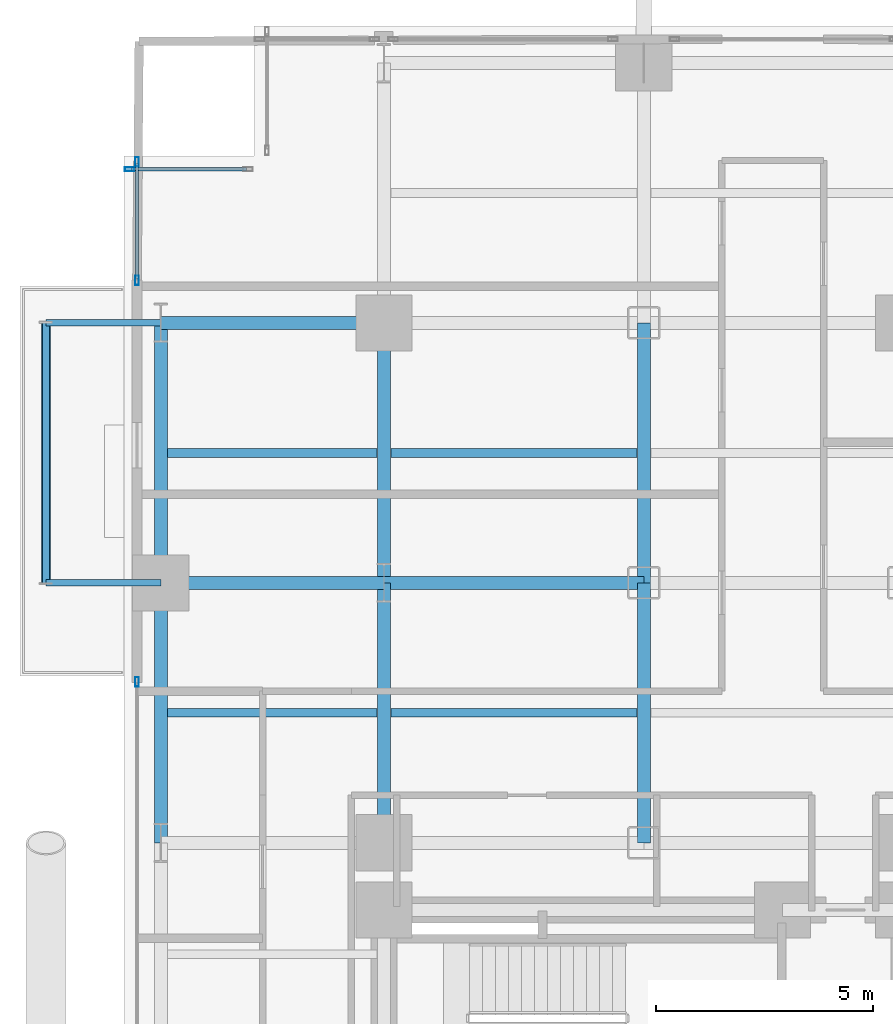
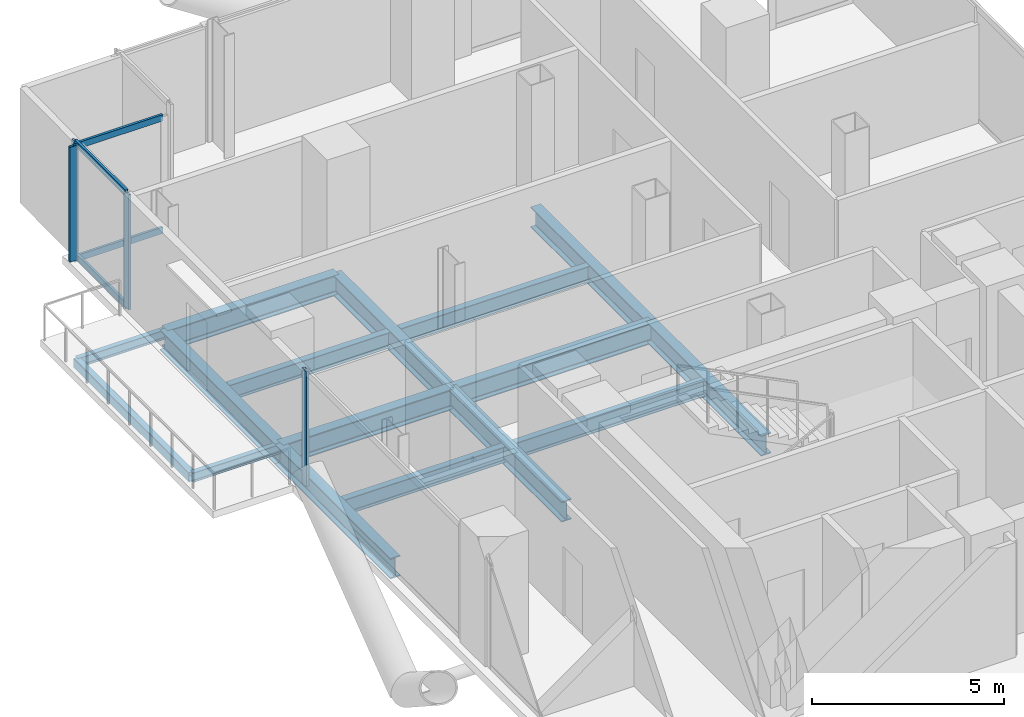
# One storey, part 13 of 27: 16 beams, 8 members, 3 elements without a shape of their own.
"""IFC4 building model written with IfcOpenShell, lengths in metres."""

from ifc_helpers import new_model, si_unit, direction, frame, origin, origin_2d, place, context, subcontext, project, spatial, hollow_rectangle, i_section, extrude, material, layer, layer_set, material_profile, profile_set, type_object, element, aggregate, save


model = new_model("IFC4")

# Units and contexts
model_context = context("Model", 3, precision=1e-05, world=origin(), true_north=direction((0.0, 1.0)))
body_context = subcontext(model_context, "Body", "Model", "MODEL_VIEW")
ifc_project = project(units=[si_unit("LENGTHUNIT", "METRE"), si_unit("AREAUNIT", "SQUARE_METRE"), si_unit("VOLUMEUNIT", "CUBIC_METRE"), si_unit("PLANEANGLEUNIT", "RADIAN"), si_unit("MASSUNIT", "GRAM", prefix="KILO"), si_unit("THERMODYNAMICTEMPERATUREUNIT", "KELVIN"), si_unit("POWERUNIT", "WATT")], contexts=[model_context])

# Site, building, storey
site_placement = place(None, origin())
site = spatial("IfcSite", under=ifc_project, at=site_placement, CompositionType="ELEMENT")
building_placement = place(site_placement, origin())
building = spatial("IfcBuilding", under=site, at=building_placement, Name="Svarakhadi Broadcast Tower", CompositionType="ELEMENT")
storey_placement = place(building_placement, frame((0.0, 0.0, 75.300048828125)))
storey = spatial("IfcBuildingStorey", under=building, at=storey_placement, Name="L17", CompositionType="ELEMENT", Elevation=75.300048828125)

# Beams
ifc_material_1 = material(Name="Steel S355J2 (IS 2062 E350C)", Category="steel")
ifc_material_profile_1 = material_profile(ifc_material_1, i_section(OverallWidth=0.199951171875, OverallDepth=0.5, WebThickness=0.01025390625, FlangeThickness=0.01611328125, FilletRadius=0.02099609375, at=origin_2d()), Name="NPB 500x200x91")
ifc_profile_set_1 = profile_set([ifc_material_profile_1], Name="Steel S355J2 (IS 2062 E350C)")
beam_type_1 = type_object("IfcBeamType", Name="Beam_NPB500", PredefinedType="BEAM", material=ifc_profile_set_1)
for number, where, z_axis, x_axis, name in (
    (1, (1.010009765625, 32.14990234375, -0.5), (1.0, 0.0, 0.0), (0.0, 1.0, 0.0), "L17 Secondary Composite Beam SB005"),
    (2, (1.010009765625, 38.14990234375, -0.5), (1.0, 0.0, 0.0), (0.0, 1.0, 0.0), "L17 Secondary Composite Beam SB006"),
):
    element("IfcBeam", number, at=place(storey_placement, frame(where, z_axis=z_axis, x_axis=x_axis)), inside=storey, type_object=beam_type_1, Name=name, PredefinedType="BEAM", context=body_context, shape_type="SweptSolid", body=[
        extrude(i_section(OverallWidth=0.199951171875, OverallDepth=0.5, WebThickness=0.01025390625, FlangeThickness=0.01611328125, FilletRadius=0.02099609375, at=origin_2d()), origin(), (0.0, 0.0, 1.0), 4.830078125),
    ])
for number, where, z_axis, x_axis, name in (
    (3, (6.159912109375, 32.14990234375, -0.5), (1.0, 0.0, 0.0), (0.0, 1.0, 0.0), "L17 Secondary Composite Beam SB010"),
    (4, (6.159912109375, 38.14990234375, -0.5), (1.0, 0.0, 0.0), (0.0, 1.0, 0.0), "L17 Secondary Composite Beam SB011"),
):
    element("IfcBeam", number, at=place(storey_placement, frame(where, z_axis=z_axis, x_axis=x_axis)), inside=storey, type_object=beam_type_1, Name=name, PredefinedType="BEAM", context=body_context, shape_type="SweptSolid", body=[
        extrude(i_section(OverallWidth=0.199951171875, OverallDepth=0.5, WebThickness=0.01025390625, FlangeThickness=0.01611328125, FilletRadius=0.02099609375, at=origin_2d()), origin(), (0.0, 0.0, 1.0), 5.68017578125),
    ])

# Curtain wall, member
ifc_material_2 = material(Name="Anodised Bronze Aluminium AA 6063-T6", Category="aluminium")
ifc_layer = layer(ifc_material_2, 0.219970703125)
ifc_layer_set = layer_set([ifc_layer], Name="Anodised Bronze Aluminium AA 6063-T6")
curtain_wall_type = type_object("IfcCurtainWallType", Name="CW_Sys_02", PredefinedType="NOTDEFINED", material=ifc_layer_set)
curtain_wall_1_placement = place(storey_placement, origin())
curtain_wall_1 = element("IfcCurtainWall", 5, at=curtain_wall_1_placement, inside=storey, type_object=curtain_wall_type, Name="L17 West Curtain Wall 02 Bay 3", PredefinedType="NOTDEFINED")
ifc_material_profile_2 = material_profile(ifc_material_2, hollow_rectangle(XDim=0.0849609375, YDim=0.219970703125, WallThickness=0.006103515625, at=origin_2d()), Name="ALU MULLION 220x85x6")
ifc_profile_set_2 = profile_set([ifc_material_profile_2], Name="Anodised Bronze Aluminium AA 6063-T6")
member_type_1 = type_object("IfcMemberType", Name="CW_Sys_02_Mul", PredefinedType="MULLION", material=ifc_profile_set_2)
member_1_placement = place(storey_placement, frame((0.300048828125, 32.867431640625, 0.0), z_axis=(0.0, 0.0, 1.0), x_axis=(-1.0, 0.0, 0.0)))
member_1 = element("IfcMember", 6, at=member_1_placement, type_object=member_type_1, Name="CW-02 mullion 2", PredefinedType="MULLION", context=body_context, shape_type="SweptSolid", body=[
    extrude(hollow_rectangle(XDim=0.0849609375, YDim=0.219970703125, WallThickness=0.006103515625, at=origin_2d()), origin(), (0.0, 0.0, 1.0), 3.64990234375),
])
aggregate(curtain_wall_1, [member_1])

# Curtain wall, members
curtain_wall_2_placement = place(storey_placement, origin())
curtain_wall_2 = element("IfcCurtainWall", 7, at=curtain_wall_2_placement, inside=storey, type_object=curtain_wall_type, Name="L17 West Curtain Wall 03", PredefinedType="NOTDEFINED")
member_2_placement = place(storey_placement, frame((0.300048828125, 42.132568359375, 0.0), z_axis=(0.0, 0.0, 1.0), x_axis=(-1.0, 0.0, 0.0)))
member_2 = element("IfcMember", 8, at=member_2_placement, type_object=member_type_1, Name="CW-02 mullion 1", PredefinedType="MULLION", context=body_context, shape_type="SweptSolid", body=[
    extrude(hollow_rectangle(XDim=0.0849609375, YDim=0.219970703125, WallThickness=0.006103515625, at=origin_2d()), origin(), (0.0, 0.0, 1.0), 3.64990234375),
])
member_3_placement = place(storey_placement, frame((0.300048828125, 44.867431640625, 0.0), z_axis=(0.0, 0.0, 1.0), x_axis=(-1.0, 0.0, 0.0)))
member_3 = element("IfcMember", 9, at=member_3_placement, type_object=member_type_1, Name="CW-02 mullion 2", PredefinedType="MULLION", context=body_context, shape_type="SweptSolid", body=[
    extrude(hollow_rectangle(XDim=0.0849609375, YDim=0.219970703125, WallThickness=0.006103515625, at=origin_2d()), origin(), (0.0, 0.0, 1.0), 3.64990234375),
])

# Curtain wall, member
curtain_wall_3_placement = place(storey_placement, origin())
curtain_wall_3 = element("IfcCurtainWall", 10, at=curtain_wall_3_placement, inside=storey, type_object=curtain_wall_type, Name="L17 Unitised Facade Curtain Wall 04", PredefinedType="NOTDEFINED")
member_4_placement = place(storey_placement, frame((0.132568359375, 44.699951171875, 0.0), z_axis=(0.0, 0.0, 1.0), x_axis=(0.0, 1.0, 0.0)))
member_4 = element("IfcMember", 11, at=member_4_placement, type_object=member_type_1, Name="CW-02 mullion 1", PredefinedType="MULLION", context=body_context, shape_type="SweptSolid", body=[
    extrude(hollow_rectangle(XDim=0.0849609375, YDim=0.219970703125, WallThickness=0.006103515625, at=origin_2d()), origin(), (0.0, 0.0, 1.0), 3.64990234375),
])

# Member
ifc_material_profile_3 = material_profile(ifc_material_2, hollow_rectangle(XDim=0.074951171875, YDim=0.199951171875, WallThickness=0.0048828125, at=origin_2d()), Name="ALU TRANSOM 200x75x5")
ifc_profile_set_3 = profile_set([ifc_material_profile_3], Name="Anodised Bronze Aluminium AA 6063-T6")
member_type_2 = type_object("IfcMemberType", Name="CW_Sys_02_Trn", PredefinedType="USERDEFINED", material=ifc_profile_set_3)
member_5_placement = place(storey_placement, frame((0.300048828125, 42.175048828125, 0.037353515625), z_axis=(0.0, 1.0, 0.0), x_axis=(-1.0, 0.0, 0.0)))
member_5 = element("IfcMember", 12, at=member_5_placement, type_object=member_type_2, Name="CW-02 transom 1.1", ObjectType="TRANSOM", PredefinedType="USERDEFINED", context=body_context, shape_type="SweptSolid", body=[
    extrude(hollow_rectangle(XDim=0.074951171875, YDim=0.199951171875, WallThickness=0.0048828125, at=origin_2d()), origin(), (0.0, 0.0, 1.0), 2.64990234375),
])

member_6_placement = place(storey_placement, frame((0.300048828125, 42.175048828125, 3.612548828125), z_axis=(0.0, 1.0, 0.0), x_axis=(-1.0, 0.0, 0.0)))
member_6 = element("IfcMember", 13, at=member_6_placement, type_object=member_type_2, Name="CW-02 transom 1.2", ObjectType="TRANSOM", PredefinedType="USERDEFINED", context=body_context, shape_type="SweptSolid", body=[
    extrude(hollow_rectangle(XDim=0.074951171875, YDim=0.199951171875, WallThickness=0.0048828125, at=origin_2d()), origin(), (0.0, 0.0, 1.0), 2.64990234375),
])

aggregate(curtain_wall_2, [member_2, member_3, member_5, member_6])

member_7_placement = place(storey_placement, frame((0.175048828125, 44.699951171875, 0.037353515625), z_axis=(1.0, 0.0, 0.0), x_axis=(0.0, 1.0, 0.0)))
member_7 = element("IfcMember", 14, at=member_7_placement, type_object=member_type_2, Name="CW-02 transom 1.1", ObjectType="TRANSOM", PredefinedType="USERDEFINED", context=body_context, shape_type="SweptSolid", body=[
    extrude(hollow_rectangle(XDim=0.074951171875, YDim=0.199951171875, WallThickness=0.0048828125, at=origin_2d()), origin(), (0.0, 0.0, 1.0), 2.64990234375),
])

member_8_placement = place(storey_placement, frame((0.175048828125, 44.699951171875, 3.612548828125), z_axis=(1.0, 0.0, 0.0), x_axis=(0.0, 1.0, 0.0)))
member_8 = element("IfcMember", 15, at=member_8_placement, type_object=member_type_2, Name="CW-02 transom 1.2", ObjectType="TRANSOM", PredefinedType="USERDEFINED", context=body_context, shape_type="SweptSolid", body=[
    extrude(hollow_rectangle(XDim=0.074951171875, YDim=0.199951171875, WallThickness=0.0048828125, at=origin_2d()), origin(), (0.0, 0.0, 1.0), 2.64990234375),
])

aggregate(curtain_wall_3, [member_4, member_7, member_8])

# Beams
ifc_material_profile_4 = material_profile(ifc_material_1, i_section(OverallWidth=0.300048828125, OverallDepth=0.64990234375, WebThickness=0.01611328125, FlangeThickness=0.031005859375, FilletRadius=0.027099609375, at=origin_2d()), Name="WPB 650x300x225")
ifc_profile_set_4 = profile_set([ifc_material_profile_4], Name="Steel S355J2 (IS 2062 E350C)")
beam_type_2 = type_object("IfcBeamType", Name="Girder_WPB650", PredefinedType="USERDEFINED", material=ifc_profile_set_4)
beam_1_placement = place(storey_placement, frame((0.85009765625, 35.14990234375, -0.574951171875), z_axis=(1.0, 0.0, 0.0), x_axis=(0.0, 1.0, 0.0)))
element("IfcBeam", 16, at=beam_1_placement, inside=storey, type_object=beam_type_2, Name="L17 Primary E-W Girder G037", ObjectType="GIRDER", PredefinedType="USERDEFINED", context=body_context, shape_type="SweptSolid", body=[
    extrude(i_section(OverallWidth=0.300048828125, OverallDepth=0.64990234375, WebThickness=0.01611328125, FlangeThickness=0.031005859375, FilletRadius=0.027099609375, at=origin_2d()), origin(), (0.0, 0.0, 1.0), 5.14990234375),
])
beam_2_placement = place(storey_placement, frame((6.0, 35.14990234375, -0.574951171875), z_axis=(1.0, 0.0, 0.0), x_axis=(0.0, 1.0, 0.0)))
element("IfcBeam", 17, at=beam_2_placement, inside=storey, type_object=beam_type_2, Name="L17 Primary E-W Girder G038", ObjectType="GIRDER", PredefinedType="USERDEFINED", context=body_context, shape_type="SweptSolid", body=[
    extrude(i_section(OverallWidth=0.300048828125, OverallDepth=0.64990234375, WebThickness=0.01611328125, FlangeThickness=0.031005859375, FilletRadius=0.027099609375, at=origin_2d()), origin(), (0.0, 0.0, 1.0), 6.0),
])
beam_3_placement = place(storey_placement, frame((0.85009765625, 41.14990234375, -0.574951171875), z_axis=(1.0, 0.0, 0.0), x_axis=(0.0, 1.0, 0.0)))
element("IfcBeam", 18, at=beam_3_placement, inside=storey, type_object=beam_type_2, Name="L17 Primary E-W Girder G040", ObjectType="GIRDER", PredefinedType="USERDEFINED", context=body_context, shape_type="SweptSolid", body=[
    extrude(i_section(OverallWidth=0.300048828125, OverallDepth=0.64990234375, WebThickness=0.01611328125, FlangeThickness=0.031005859375, FilletRadius=0.027099609375, at=origin_2d()), origin(), (0.0, 0.0, 1.0), 5.14990234375),
])
for number, where, z_axis, x_axis, name in (
    (19, (0.85009765625, 29.14990234375, -0.574951171875), (0.0, 1.0, 0.0), (-1.0, 0.0, 0.0), "L17 Primary N-S Girder G049"),
    (20, (0.85009765625, 35.14990234375, -0.574951171875), (0.0, 1.0, 0.0), (-1.0, 0.0, 0.0), "L17 Primary N-S Girder G050"),
    (21, (6.0, 29.14990234375, -0.574951171875), (0.0, 1.0, 0.0), (-1.0, 0.0, 0.0), "L17 Primary N-S Girder G055"),
    (22, (6.0, 35.14990234375, -0.574951171875), (0.0, 1.0, 0.0), (-1.0, 0.0, 0.0), "L17 Primary N-S Girder G056"),
    (23, (12.0, 29.14990234375, -0.574951171875), (0.0, 1.0, 0.0), (-1.0, 0.0, 0.0), "L17 Primary N-S Girder G061"),
    (24, (12.0, 35.14990234375, -0.574951171875), (0.0, 1.0, 0.0), (-1.0, 0.0, 0.0), "L17 Primary N-S Girder G062"),
):
    element("IfcBeam", number, at=place(storey_placement, frame(where, z_axis=z_axis, x_axis=x_axis)), inside=storey, type_object=beam_type_2, Name=name, ObjectType="GIRDER", PredefinedType="USERDEFINED", context=body_context, shape_type="SweptSolid", body=[
        extrude(i_section(OverallWidth=0.300048828125, OverallDepth=0.64990234375, WebThickness=0.01611328125, FlangeThickness=0.031005859375, FilletRadius=0.027099609375, at=origin_2d()), origin(), (0.0, 0.0, 1.0), 6.0),
    ])
ifc_material_profile_5 = material_profile(ifc_material_1, i_section(OverallWidth=0.14990234375, OverallDepth=0.300048828125, WebThickness=0.007080078125, FlangeThickness=0.0107421875, FilletRadius=0.014892578125, at=origin_2d()), Name="NPB 300x150x37")
ifc_profile_set_5 = profile_set([ifc_material_profile_5], Name="Steel S355J2 (IS 2062 E350C)")
beam_type_3 = type_object("IfcBeamType", Name="Spandrel_NPB300", PredefinedType="SPANDREL", material=ifc_profile_set_5)
for number, where, z_axis, x_axis, name in (
    (25, (0.85009765625, 35.14990234375, -0.400146484375), (-1.0, 0.0, 0.0), (0.0, -1.0, 0.0), "L17 Balcony Cantilever Bracket 2A"),
    (26, (0.85009765625, 41.14990234375, -0.400146484375), (-1.0, 0.0, 0.0), (0.0, -1.0, 0.0), "L17 Balcony Cantilever Bracket 2B"),
):
    element("IfcBeam", number, at=place(storey_placement, frame(where, z_axis=z_axis, x_axis=x_axis)), inside=storey, type_object=beam_type_3, Name=name, PredefinedType="SPANDREL", context=body_context, shape_type="SweptSolid", body=[
        extrude(i_section(OverallWidth=0.14990234375, OverallDepth=0.300048828125, WebThickness=0.007080078125, FlangeThickness=0.0107421875, FilletRadius=0.014892578125, at=origin_2d()), origin(), (0.0, 0.0, 1.0), 2.650146484375),
    ])
ifc_material_3 = material(Name="Steel S460ML (IS 2062 E450BR)", Category="steel")
ifc_material_profile_6 = material_profile(ifc_material_3, hollow_rectangle(XDim=0.199951171875, YDim=0.300048828125, WallThickness=0.012451171875, InnerFilletRadius=0.012451171875, OuterFilletRadius=0.02490234375, at=origin_2d()), Name="RHS 300x200x12.5")
ifc_profile_set_6 = profile_set([ifc_material_profile_6], Name="Steel S460ML (IS 2062 E450BR)")
beam_type_4 = type_object("IfcBeamType", Name="Spandrel_RHS300", PredefinedType="SPANDREL", material=ifc_profile_set_6)
beam_4_placement = place(storey_placement, frame((-1.800048828125, 35.14990234375, -0.400146484375), z_axis=(0.0, 1.0, 0.0), x_axis=(-1.0, 0.0, 0.0)))
element("IfcBeam", 27, at=beam_4_placement, inside=storey, type_object=beam_type_4, Name="L17 Balcony Outer Spandrel 2F", PredefinedType="SPANDREL", context=body_context, shape_type="SweptSolid", body=[
    extrude(hollow_rectangle(XDim=0.199951171875, YDim=0.300048828125, WallThickness=0.012451171875, InnerFilletRadius=0.012451171875, OuterFilletRadius=0.02490234375, at=origin_2d()), origin(), (0.0, 0.0, 1.0), 6.0),
])

save(model, "model.ifc")
